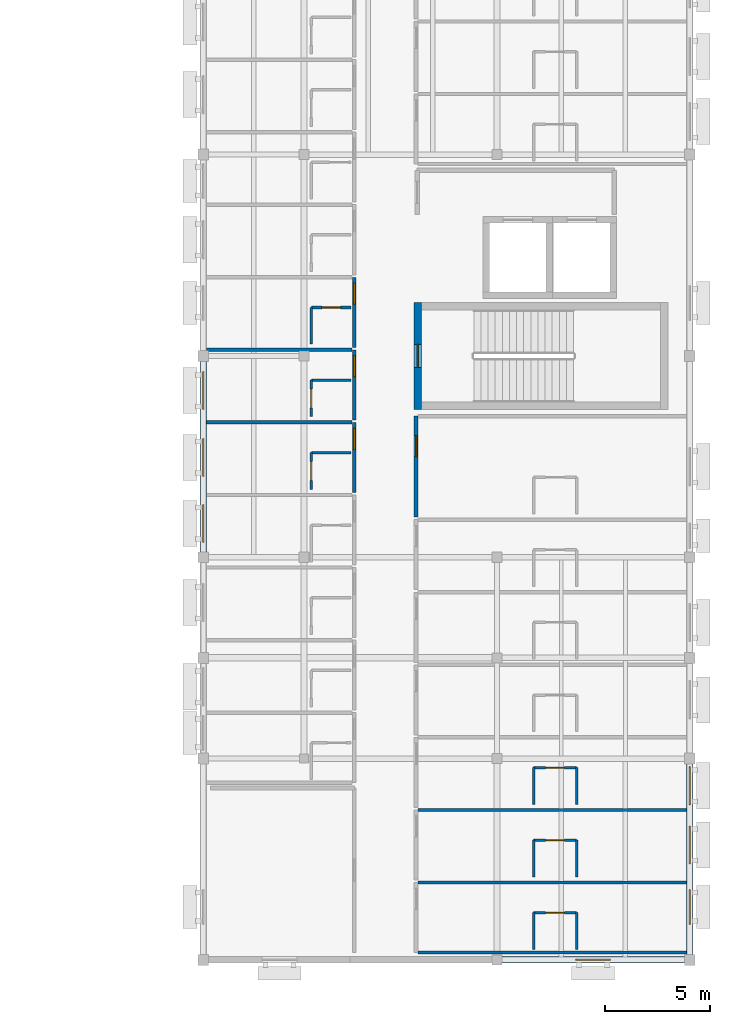
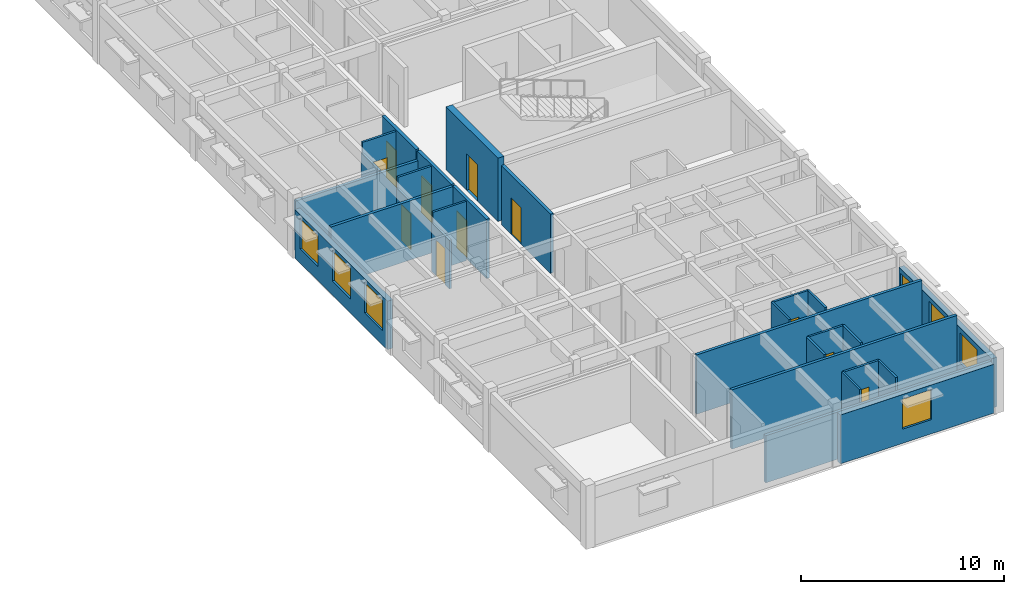
# One storey, part 8 of 20: 28 walls, 11 doors, 7 windows, 18 openings.
"""IFC4 building model written with IfcOpenShell, lengths in metres."""

from ifc_helpers import new_model, si_unit, direction, frame, frame_2d, origin, place, context, subcontext, project, spatial, rectangle, extrude, material, layer, layer_set, type_object, element, fill, save


model = new_model("IFC4")

# Units and contexts
model_context = context("Model", 3, precision=1e-05, world=origin(), true_north=direction((0.0, 1.0)))
body_context = subcontext(model_context, "Body", "Model", "MODEL_VIEW")
ifc_project = project(units=[si_unit("LENGTHUNIT", "METRE"), si_unit("AREAUNIT", "SQUARE_METRE"), si_unit("VOLUMEUNIT", "CUBIC_METRE"), si_unit("PLANEANGLEUNIT", "RADIAN"), si_unit("MASSUNIT", "GRAM", prefix="KILO")], contexts=[model_context])

# Site, building, storey
site_placement = place(None, origin())
site = spatial("IfcSite", under=ifc_project, at=site_placement, CompositionType="ELEMENT")
building_placement = place(site_placement, origin())
building = spatial("IfcBuilding", under=site, at=building_placement, Name="Veldera Park Congress Hotel", CompositionType="ELEMENT")
storey_placement = place(building_placement, frame((0.0, 0.0, 27.60009765625)))
storey = spatial("IfcBuildingStorey", under=building, at=storey_placement, Name="L06", CompositionType="ELEMENT", Elevation=27.60009765625)

# Wall, opening, window
ifc_material_1 = material(Name="Cross-laminated timber CLT V2M1.1", Category="wood")
ifc_layer_1 = layer(ifc_material_1, 0.300048828125)
ifc_layer_set_1 = layer_set([ifc_layer_1], Name="Cross-laminated timber CLT V2M1.1")
wall_type_1 = type_object("IfcWallType", Name="EW-CLT300", PredefinedType="STANDARD", material=ifc_layer_set_1)
wall_1_placement = place(storey_placement, frame((75.0380859375, -37.800048828125, 0.0), z_axis=(0.0, 0.0, 1.0), x_axis=(1.0, 0.0, 0.0)))
wall_1 = element("IfcWall", 1, at=wall_1_placement, inside=storey, type_object=wall_type_1, Name="L06 Exterior Wall EW3-L06-0310", PredefinedType="STANDARD", context=body_context, shape_type="SweptSolid", body=[
    extrude(rectangle(XDim=8.703857421875, YDim=0.300048828125, at=frame_2d((4.35205078125, 0.0))), origin(), (0.0, 0.0, 1.0), 2.929931640625),
])
opening_1_placement = place(wall_1_placement, frame((3.527099609375, 0.0, 0.85009765625)))
opening_1 = element("IfcOpeningElement", 2, at=opening_1_placement, cuts=wall_1, Name="Opening WIN-1650", PredefinedType="OPENING", context=body_context, shape_type="SweptSolid", body=[
    extrude(rectangle(XDim=1.64990234375, YDim=1.800048828125, at=frame_2d((0.824951171875, 0.89990234375))), frame((0.0, 0.162109375, 0.0), z_axis=(0.0, -1.0, 0.0), x_axis=(1.0, 0.0, 0.0)), (0.0, 0.0, 1.0), 0.323974609375),
])
ifc_material_2 = material(Name="Low-E Triple Insulating Glass Unit (SHGC 0.22)", Category="glass")
window_type_1 = type_object("IfcWindowType", Name="WIN-1650", PartitioningType="SINGLE_PANEL", PredefinedType="WINDOW", material=ifc_material_2)
window_1_placement = place(opening_1_placement, origin())
window_1 = element("IfcWindow", 3, at=window_1_placement, inside=storey, type_object=window_type_1, Name="L06 Window WIN-1650 237", OverallHeight=1.800048828125, OverallWidth=1.64990234375, PartitioningType="SINGLE_PANEL", PredefinedType="WINDOW", context=body_context, shape_type="SweptSolid", body=[
    extrude(rectangle(XDim=1.64990234375, YDim=1.800048828125, at=frame_2d((0.824951171875, 0.89990234375))), frame((0.0, 0.030029296875, 0.0), z_axis=(0.0, -1.0, 0.0), x_axis=(1.0, 0.0, 0.0)), (0.0, 0.0, 1.0), 0.06005859375),
])
fill(opening_1, window_1)

# Wall, openings, windows
wall_2_placement = place(storey_placement, frame((84.0, -37.5419921875, 0.0), z_axis=(0.0, 0.0, 1.0), x_axis=(0.0, 1.0, 0.0)))
wall_2 = element("IfcWall", 4, at=wall_2_placement, inside=storey, type_object=wall_type_1, Name="L06 Exterior Wall EW3-L06-0311", PredefinedType="STANDARD", context=body_context, shape_type="SweptSolid", body=[
    extrude(rectangle(XDim=9.083984375, YDim=0.300048828125, at=frame_2d((4.5419921875, 0.0))), origin(), (0.0, 0.0, 1.0), 2.969970703125),
])
opening_2_placement = place(wall_2_placement, frame((1.446044921875, 0.0, 0.85009765625)))
opening_2 = element("IfcOpeningElement", 5, at=opening_2_placement, cuts=wall_2, Name="Opening WIN-1650", PredefinedType="OPENING", context=body_context, shape_type="SweptSolid", body=[
    extrude(rectangle(XDim=1.64990234375, YDim=1.800048828125, at=frame_2d((0.824951171875, 0.89990234375))), frame((0.0, 0.162109375, 0.0), z_axis=(0.0, -1.0, 0.0), x_axis=(1.0, 0.0, 0.0)), (0.0, 0.0, 1.0), 0.323974609375),
])
opening_3_placement = place(wall_2_placement, frame((4.322021484375, 0.0, 0.85009765625)))
opening_3 = element("IfcOpeningElement", 6, at=opening_3_placement, cuts=wall_2, Name="Opening WIN-1800", PredefinedType="OPENING", context=body_context, shape_type="SweptSolid", body=[
    extrude(rectangle(XDim=1.800048828125, YDim=1.85009765625, at=frame_2d((0.89990234375, 0.925048828125))), frame((0.0, 0.162109375, 0.0), z_axis=(0.0, -1.0, 0.0), x_axis=(1.0, 0.0, 0.0)), (0.0, 0.0, 1.0), 0.323974609375),
])
opening_4_placement = place(wall_2_placement, frame((7.14794921875, 0.0, 0.85009765625)))
opening_4 = element("IfcOpeningElement", 7, at=opening_4_placement, cuts=wall_2, Name="Opening WIN-1800", PredefinedType="OPENING", context=body_context, shape_type="SweptSolid", body=[
    extrude(rectangle(XDim=1.800048828125, YDim=1.85009765625, at=frame_2d((0.89990234375, 0.925048828125))), frame((0.0, 0.162109375, 0.0), z_axis=(0.0, -1.0, 0.0), x_axis=(1.0, 0.0, 0.0)), (0.0, 0.0, 1.0), 0.323974609375),
])
window_2_placement = place(opening_2_placement, origin())
window_2 = element("IfcWindow", 8, at=window_2_placement, inside=storey, type_object=window_type_1, Name="L06 Window WIN-1650 238", OverallHeight=1.800048828125, OverallWidth=1.64990234375, PartitioningType="SINGLE_PANEL", PredefinedType="WINDOW", context=body_context, shape_type="SweptSolid", body=[
    extrude(rectangle(XDim=1.64990234375, YDim=1.800048828125, at=frame_2d((0.824951171875, 0.89990234375))), frame((0.0, 0.030029296875, 0.0), z_axis=(0.0, -1.0, 0.0), x_axis=(1.0, 0.0, 0.0)), (0.0, 0.0, 1.0), 0.06005859375),
])
fill(opening_2, window_2)
window_type_2 = type_object("IfcWindowType", Name="WIN-1800", PartitioningType="SINGLE_PANEL", PredefinedType="WINDOW", material=ifc_material_2)
window_3_placement = place(opening_3_placement, origin())
window_3 = element("IfcWindow", 9, at=window_3_placement, inside=storey, type_object=window_type_2, Name="L06 Window WIN-1800 525", OverallHeight=1.85009765625, OverallWidth=1.800048828125, PartitioningType="SINGLE_PANEL", PredefinedType="WINDOW", context=body_context, shape_type="SweptSolid", body=[
    extrude(rectangle(XDim=1.800048828125, YDim=1.85009765625, at=frame_2d((0.89990234375, 0.925048828125))), frame((0.0, 0.030029296875, 0.0), z_axis=(0.0, -1.0, 0.0), x_axis=(1.0, 0.0, 0.0)), (0.0, 0.0, 1.0), 0.06005859375),
])
fill(opening_3, window_3)
window_4_placement = place(opening_4_placement, origin())
window_4 = element("IfcWindow", 10, at=window_4_placement, inside=storey, type_object=window_type_2, Name="L06 Window WIN-1800 526", OverallHeight=1.85009765625, OverallWidth=1.800048828125, PartitioningType="SINGLE_PANEL", PredefinedType="WINDOW", context=body_context, shape_type="SweptSolid", body=[
    extrude(rectangle(XDim=1.800048828125, YDim=1.85009765625, at=frame_2d((0.89990234375, 0.925048828125))), frame((0.0, 0.030029296875, 0.0), z_axis=(0.0, -1.0, 0.0), x_axis=(1.0, 0.0, 0.0)), (0.0, 0.0, 1.0), 0.06005859375),
])
fill(opening_4, window_4)

wall_3_placement = place(storey_placement, frame((60.800048828125, -9.258056640625, 0.0), z_axis=(0.0, 0.0, 1.0), x_axis=(0.0, -1.0, 0.0)))
wall_3 = element("IfcWall", 11, at=wall_3_placement, inside=storey, type_object=wall_type_1, Name="L06 Exterior Wall EW3-L06-0336", PredefinedType="STANDARD", context=body_context, shape_type="SweptSolid", body=[
    extrude(rectangle(XDim=9.083984375, YDim=0.300048828125, at=frame_2d((4.5419921875, 0.0))), origin(), (0.0, 0.0, 1.0), 2.909912109375),
])
opening_5_placement = place(wall_3_placement, frame((6.827880859375, 0.0, 0.85009765625)))
opening_5 = element("IfcOpeningElement", 12, at=opening_5_placement, cuts=wall_3, Name="Opening WIN-1800", PredefinedType="OPENING", context=body_context, shape_type="SweptSolid", body=[
    extrude(rectangle(XDim=1.800048828125, YDim=1.85009765625, at=frame_2d((0.89990234375, 0.925048828125))), frame((0.0, 0.162109375, 0.0), z_axis=(0.0, -1.0, 0.0), x_axis=(1.0, 0.0, 0.0)), (0.0, 0.0, 1.0), 0.323974609375),
])
opening_6_placement = place(wall_3_placement, frame((3.681884765625, 0.0, 0.85009765625)))
opening_6 = element("IfcOpeningElement", 13, at=opening_6_placement, cuts=wall_3, Name="Opening WIN-1800", PredefinedType="OPENING", context=body_context, shape_type="SweptSolid", body=[
    extrude(rectangle(XDim=1.800048828125, YDim=1.85009765625, at=frame_2d((0.89990234375, 0.925048828125))), frame((0.0, 0.162109375, 0.0), z_axis=(0.0, -1.0, 0.0), x_axis=(1.0, 0.0, 0.0)), (0.0, 0.0, 1.0), 0.323974609375),
])
opening_7_placement = place(wall_3_placement, frame((0.49609375, 0.0, 0.85009765625)))
opening_7 = element("IfcOpeningElement", 14, at=opening_7_placement, cuts=wall_3, Name="Opening WIN-1800", PredefinedType="OPENING", context=body_context, shape_type="SweptSolid", body=[
    extrude(rectangle(XDim=1.800048828125, YDim=1.85009765625, at=frame_2d((0.89990234375, 0.925048828125))), frame((0.0, 0.162109375, 0.0), z_axis=(0.0, -1.0, 0.0), x_axis=(1.0, 0.0, 0.0)), (0.0, 0.0, 1.0), 0.323974609375),
])
window_5_placement = place(opening_5_placement, origin())
window_5 = element("IfcWindow", 15, at=window_5_placement, inside=storey, type_object=window_type_2, Name="L06 Window WIN-1800 512", OverallHeight=1.85009765625, OverallWidth=1.800048828125, PartitioningType="SINGLE_PANEL", PredefinedType="WINDOW", context=body_context, shape_type="SweptSolid", body=[
    extrude(rectangle(XDim=1.800048828125, YDim=1.85009765625, at=frame_2d((0.89990234375, 0.925048828125))), frame((0.0, 0.030029296875, 0.0), z_axis=(0.0, -1.0, 0.0), x_axis=(1.0, 0.0, 0.0)), (0.0, 0.0, 1.0), 0.06005859375),
])
fill(opening_5, window_5)
window_6_placement = place(opening_6_placement, origin())
window_6 = element("IfcWindow", 16, at=window_6_placement, inside=storey, type_object=window_type_2, Name="L06 Window WIN-1800 513", OverallHeight=1.85009765625, OverallWidth=1.800048828125, PartitioningType="SINGLE_PANEL", PredefinedType="WINDOW", context=body_context, shape_type="SweptSolid", body=[
    extrude(rectangle(XDim=1.800048828125, YDim=1.85009765625, at=frame_2d((0.89990234375, 0.925048828125))), frame((0.0, 0.030029296875, 0.0), z_axis=(0.0, -1.0, 0.0), x_axis=(1.0, 0.0, 0.0)), (0.0, 0.0, 1.0), 0.06005859375),
])
fill(opening_6, window_6)
window_7_placement = place(opening_7_placement, origin())
window_7 = element("IfcWindow", 17, at=window_7_placement, inside=storey, type_object=window_type_2, Name="L06 Window WIN-1800 514", OverallHeight=1.85009765625, OverallWidth=1.800048828125, PartitioningType="SINGLE_PANEL", PredefinedType="WINDOW", context=body_context, shape_type="SweptSolid", body=[
    extrude(rectangle(XDim=1.800048828125, YDim=1.85009765625, at=frame_2d((0.89990234375, 0.925048828125))), frame((0.0, 0.030029296875, 0.0), z_axis=(0.0, -1.0, 0.0), x_axis=(1.0, 0.0, 0.0)), (0.0, 0.0, 1.0), 0.06005859375),
])
fill(opening_7, window_7)

# Wall, opening, door
ifc_material_3 = material(Name="Fire-Rated Gypsum Board on Cold-Formed Steel Studs", Category="steel")
ifc_layer_2 = layer(ifc_material_3, 0.1201171875)
ifc_layer_set_2 = layer_set([ifc_layer_2], Name="Fire-Rated Gypsum Board on Cold-Formed Steel Studs")
wall_type_2 = type_object("IfcWallType", Name="IW-BATH120", PredefinedType="PARTITIONING", material=ifc_layer_set_2)
wall_4_placement = place(storey_placement, frame((65.949951171875, -15.360107421875, 0.0), z_axis=(0.0, 0.0, 1.0), x_axis=(0.0, 1.0, 0.0)))
wall_4 = element("IfcWall", 18, at=wall_4_placement, inside=storey, type_object=wall_type_2, Name="L06 Partition Wall IW3-L06-01210", PredefinedType="PARTITIONING", context=body_context, shape_type="SweptSolid", body=[
    extrude(rectangle(XDim=1.75, YDim=0.1201171875, at=frame_2d((0.875, 0.0))), origin(), (0.0, 0.0, 1.0), 2.909912109375),
])
opening_8_placement = place(wall_4_placement, frame((0.425048828125, 0.0, 0.0)))
opening_8 = element("IfcOpeningElement", 19, at=opening_8_placement, cuts=wall_4, Name="Opening ID-BATH090", PredefinedType="OPENING", context=body_context, shape_type="SweptSolid", body=[
    extrude(rectangle(XDim=0.89990234375, YDim=2.14990234375, at=frame_2d((0.449951171875, 1.074951171875))), frame((0.0, 0.072021484375, 0.0), z_axis=(0.0, -1.0, 0.0), x_axis=(1.0, 0.0, 0.0)), (0.0, 0.0, 1.0), 0.14404296875),
])
ifc_material_4 = material(Name="Solid Core White Oak Architectural Door", Category="wood")
door_type_1 = type_object("IfcDoorType", Name="ID-BATH090", OperationType="NOTDEFINED", PredefinedType="DOOR", material=ifc_material_4)
door_1_placement = place(opening_8_placement, origin())
door_1 = element("IfcDoor", 20, at=door_1_placement, inside=storey, type_object=door_type_1, Name="L06 En-suite 182 Door ID3-L06-0503 (DR3-ID3-L06-0503)", OperationType="SINGLE_SWING_LEFT", OverallHeight=2.14990234375, OverallWidth=0.89990234375, PredefinedType="DOOR", context=body_context, shape_type="SweptSolid", body=[
    extrude(rectangle(XDim=0.89990234375, YDim=2.14990234375, at=frame_2d((0.449951171875, 1.074951171875))), frame((0.0, 0.02490234375, 0.0), z_axis=(0.0, -1.0, 0.0), x_axis=(1.0, 0.0, 0.0)), (0.0, 0.0, 1.0), 0.050048828125),
])
fill(opening_8, door_1)

# Wall
wall_5_placement = place(storey_placement, frame((65.949951171875, -13.610107421875, 0.0), z_axis=(0.0, 0.0, 1.0), x_axis=(1.0, 0.0, 0.0)))
element("IfcWall", 21, at=wall_5_placement, inside=storey, type_object=wall_type_2, Name="L06 Partition Wall IW3-L06-01211", PredefinedType="PARTITIONING", context=body_context, shape_type="SweptSolid", body=[
    extrude(rectangle(XDim=1.900146484375, YDim=0.1201171875, at=frame_2d((0.9501953125, 0.0))), origin(), (0.0, 0.0, 1.0), 3.554931640625),
])

# Wall, opening, door
wall_6_placement = place(storey_placement, frame((65.949951171875, -11.89990234375, 0.0), z_axis=(0.0, 0.0, 1.0), x_axis=(0.0, 1.0, 0.0)))
wall_6 = element("IfcWall", 22, at=wall_6_placement, inside=storey, type_object=wall_type_2, Name="L06 Partition Wall IW3-L06-01214", PredefinedType="PARTITIONING", context=body_context, shape_type="SweptSolid", body=[
    extrude(rectangle(XDim=1.75, YDim=0.1201171875, at=frame_2d((0.875, 0.0))), origin(), (0.0, 0.0, 1.0), 2.909912109375),
])
opening_9_placement = place(wall_6_placement, frame((0.425048828125, 0.0, 0.0)))
opening_9 = element("IfcOpeningElement", 23, at=opening_9_placement, cuts=wall_6, Name="Opening ID-BATH090", PredefinedType="OPENING", context=body_context, shape_type="SweptSolid", body=[
    extrude(rectangle(XDim=0.89990234375, YDim=2.14990234375, at=frame_2d((0.449951171875, 1.074951171875))), frame((0.0, 0.072021484375, 0.0), z_axis=(0.0, -1.0, 0.0), x_axis=(1.0, 0.0, 0.0)), (0.0, 0.0, 1.0), 0.14404296875),
])
door_2_placement = place(opening_9_placement, origin())
door_2 = element("IfcDoor", 24, at=door_2_placement, inside=storey, type_object=door_type_1, Name="L06 En-suite 183 Door ID3-L06-0505 (DR3-ID3-L06-0505)", OperationType="SINGLE_SWING_LEFT", OverallHeight=2.14990234375, OverallWidth=0.89990234375, PredefinedType="DOOR", context=body_context, shape_type="SweptSolid", body=[
    extrude(rectangle(XDim=0.89990234375, YDim=2.14990234375, at=frame_2d((0.449951171875, 1.074951171875))), frame((0.0, 0.02490234375, 0.0), z_axis=(0.0, -1.0, 0.0), x_axis=(1.0, 0.0, 0.0)), (0.0, 0.0, 1.0), 0.050048828125),
])
fill(opening_9, door_2)

# Walls
wall_7_placement = place(storey_placement, frame((65.949951171875, -10.14990234375, 0.0), z_axis=(0.0, 0.0, 1.0), x_axis=(1.0, 0.0, 0.0)))
element("IfcWall", 25, at=wall_7_placement, inside=storey, type_object=wall_type_2, Name="L06 Partition Wall IW3-L06-01215", PredefinedType="PARTITIONING", context=body_context, shape_type="SweptSolid", body=[
    extrude(rectangle(XDim=1.900146484375, YDim=0.1201171875, at=frame_2d((0.9501953125, 0.0))), origin(), (0.0, 0.0, 1.0), 3.554931640625),
])
wall_8_placement = place(storey_placement, frame((65.949951171875, -8.43994140625, 0.0), z_axis=(0.0, 0.0, 1.0), x_axis=(0.0, 1.0, 0.0)))
element("IfcWall", 26, at=wall_8_placement, inside=storey, type_object=wall_type_2, Name="L06 Partition Wall IW3-L06-01218", PredefinedType="PARTITIONING", context=body_context, shape_type="SweptSolid", body=[
    extrude(rectangle(XDim=1.75, YDim=0.1201171875, at=frame_2d((0.875, 0.0))), origin(), (0.0, 0.0, 1.0), 2.909912109375),
])

# Wall, opening, door
wall_9_placement = place(storey_placement, frame((65.949951171875, -6.68994140625, 0.0), z_axis=(0.0, 0.0, 1.0), x_axis=(1.0, 0.0, 0.0)))
wall_9 = element("IfcWall", 27, at=wall_9_placement, inside=storey, type_object=wall_type_2, Name="L06 Partition Wall IW3-L06-01219", PredefinedType="PARTITIONING", context=body_context, shape_type="SweptSolid", body=[
    extrude(rectangle(XDim=1.900146484375, YDim=0.1201171875, at=frame_2d((0.9501953125, 0.0))), origin(), (0.0, 0.0, 1.0), 3.554931640625),
])
opening_10_placement = place(wall_9_placement, frame((0.5, 0.0, 0.0)))
opening_10 = element("IfcOpeningElement", 28, at=opening_10_placement, cuts=wall_9, Name="Opening ID-BATH090", PredefinedType="OPENING", context=body_context, shape_type="SweptSolid", body=[
    extrude(rectangle(XDim=0.89990234375, YDim=2.14990234375, at=frame_2d((0.449951171875, 1.074951171875))), frame((0.0, 0.072021484375, 0.0), z_axis=(0.0, -1.0, 0.0), x_axis=(1.0, 0.0, 0.0)), (0.0, 0.0, 1.0), 0.14404296875),
])
door_3_placement = place(opening_10_placement, origin())
door_3 = element("IfcDoor", 29, at=door_3_placement, inside=storey, type_object=door_type_1, Name="L06 En-suite 184 Door ID3-L06-0507 (DR3-ID3-L06-0507)", OperationType="SINGLE_SWING_LEFT", OverallHeight=2.14990234375, OverallWidth=0.89990234375, PredefinedType="DOOR", context=body_context, shape_type="SweptSolid", body=[
    extrude(rectangle(XDim=0.89990234375, YDim=2.14990234375, at=frame_2d((0.449951171875, 1.074951171875))), frame((0.0, 0.02490234375, 0.0), z_axis=(0.0, -1.0, 0.0), x_axis=(1.0, 0.0, 0.0)), (0.0, 0.0, 1.0), 0.050048828125),
])
fill(opening_10, door_3)

# Walls
for number, where, z_axis, x_axis, name in (
    (30, (76.550048828125, -37.300048828125, 0.0), (0.0, 0.0, 1.0), (0.0, 1.0, 0.0), "L06 Partition Wall IW3-L06-01263"),
    (31, (78.60009765625, -37.300048828125, 0.0), (0.0, 0.0, 1.0), (0.0, 1.0, 0.0), "L06 Partition Wall IW3-L06-01264"),
):
    element("IfcWall", number, at=place(storey_placement, frame(where, z_axis=z_axis, x_axis=x_axis)), inside=storey, type_object=wall_type_2, Name=name, PredefinedType="PARTITIONING", context=body_context, shape_type="SweptSolid", body=[
        extrude(rectangle(XDim=1.75, YDim=0.1201171875, at=frame_2d((0.875, 0.0))), origin(), (0.0, 0.0, 1.0), 3.554931640625),
    ])

# Wall, opening, door
wall_10_placement = place(storey_placement, frame((76.550048828125, -35.550048828125, 0.0), z_axis=(0.0, 0.0, 1.0), x_axis=(1.0, 0.0, 0.0)))
wall_10 = element("IfcWall", 32, at=wall_10_placement, inside=storey, type_object=wall_type_2, Name="L06 Partition Wall IW3-L06-01265", PredefinedType="PARTITIONING", context=body_context, shape_type="SweptSolid", body=[
    extrude(rectangle(XDim=2.050048828125, YDim=0.1201171875, at=frame_2d((1.02490234375, 0.0))), origin(), (0.0, 0.0, 1.0), 3.554931640625),
])
opening_11_placement = place(wall_10_placement, frame((0.574951171875, 0.0, 0.0)))
opening_11 = element("IfcOpeningElement", 33, at=opening_11_placement, cuts=wall_10, Name="Opening ID-BATH090", PredefinedType="OPENING", context=body_context, shape_type="SweptSolid", body=[
    extrude(rectangle(XDim=0.89990234375, YDim=2.14990234375, at=frame_2d((0.449951171875, 1.074951171875))), frame((0.0, 0.072021484375, 0.0), z_axis=(0.0, -1.0, 0.0), x_axis=(1.0, 0.0, 0.0)), (0.0, 0.0, 1.0), 0.14404296875),
])
door_4_placement = place(opening_11_placement, origin())
door_4 = element("IfcDoor", 34, at=door_4_placement, inside=storey, type_object=door_type_1, Name="L06 En-suite 195 Door ID3-L06-0529 (DR3-ID3-L06-0529)", OperationType="SINGLE_SWING_LEFT", OverallHeight=2.14990234375, OverallWidth=0.89990234375, PredefinedType="DOOR", context=body_context, shape_type="SweptSolid", body=[
    extrude(rectangle(XDim=0.89990234375, YDim=2.14990234375, at=frame_2d((0.449951171875, 1.074951171875))), frame((0.0, 0.02490234375, 0.0), z_axis=(0.0, -1.0, 0.0), x_axis=(1.0, 0.0, 0.0)), (0.0, 0.0, 1.0), 0.050048828125),
])
fill(opening_11, door_4)

# Walls
for number, where, z_axis, x_axis, name in (
    (35, (76.550048828125, -33.840087890625, 0.0), (0.0, 0.0, 1.0), (0.0, 1.0, 0.0), "L06 Partition Wall IW3-L06-01268"),
    (36, (78.60009765625, -33.840087890625, 0.0), (0.0, 0.0, 1.0), (0.0, 1.0, 0.0), "L06 Partition Wall IW3-L06-01269"),
):
    element("IfcWall", number, at=place(storey_placement, frame(where, z_axis=z_axis, x_axis=x_axis)), inside=storey, type_object=wall_type_2, Name=name, PredefinedType="PARTITIONING", context=body_context, shape_type="SweptSolid", body=[
        extrude(rectangle(XDim=1.75, YDim=0.1201171875, at=frame_2d((0.875, 0.0))), origin(), (0.0, 0.0, 1.0), 3.554931640625),
    ])

# Wall, opening, door
wall_11_placement = place(storey_placement, frame((76.550048828125, -32.090087890625, 0.0), z_axis=(0.0, 0.0, 1.0), x_axis=(1.0, 0.0, 0.0)))
wall_11 = element("IfcWall", 37, at=wall_11_placement, inside=storey, type_object=wall_type_2, Name="L06 Partition Wall IW3-L06-01270", PredefinedType="PARTITIONING", context=body_context, shape_type="SweptSolid", body=[
    extrude(rectangle(XDim=2.050048828125, YDim=0.1201171875, at=frame_2d((1.02490234375, 0.0))), origin(), (0.0, 0.0, 1.0), 3.554931640625),
])
opening_12_placement = place(wall_11_placement, frame((0.574951171875, 0.0, 0.0)))
opening_12 = element("IfcOpeningElement", 38, at=opening_12_placement, cuts=wall_11, Name="Opening ID-BATH090", PredefinedType="OPENING", context=body_context, shape_type="SweptSolid", body=[
    extrude(rectangle(XDim=0.89990234375, YDim=2.14990234375, at=frame_2d((0.449951171875, 1.074951171875))), frame((0.0, 0.072021484375, 0.0), z_axis=(0.0, -1.0, 0.0), x_axis=(1.0, 0.0, 0.0)), (0.0, 0.0, 1.0), 0.14404296875),
])
door_5_placement = place(opening_12_placement, origin())
door_5 = element("IfcDoor", 39, at=door_5_placement, inside=storey, type_object=door_type_1, Name="L06 En-suite 196 Door ID3-L06-0531 (DR3-ID3-L06-0531)", OperationType="SINGLE_SWING_LEFT", OverallHeight=2.14990234375, OverallWidth=0.89990234375, PredefinedType="DOOR", context=body_context, shape_type="SweptSolid", body=[
    extrude(rectangle(XDim=0.89990234375, YDim=2.14990234375, at=frame_2d((0.449951171875, 1.074951171875))), frame((0.0, 0.02490234375, 0.0), z_axis=(0.0, -1.0, 0.0), x_axis=(1.0, 0.0, 0.0)), (0.0, 0.0, 1.0), 0.050048828125),
])
fill(opening_12, door_5)

# Walls
for number, where, z_axis, x_axis, name in (
    (40, (76.550048828125, -30.3798828125, 0.0), (0.0, 0.0, 1.0), (0.0, 1.0, 0.0), "L06 Partition Wall IW3-L06-01273"),
    (41, (78.60009765625, -30.3798828125, 0.0), (0.0, 0.0, 1.0), (0.0, 1.0, 0.0), "L06 Partition Wall IW3-L06-01274"),
):
    element("IfcWall", number, at=place(storey_placement, frame(where, z_axis=z_axis, x_axis=x_axis)), inside=storey, type_object=wall_type_2, Name=name, PredefinedType="PARTITIONING", context=body_context, shape_type="SweptSolid", body=[
        extrude(rectangle(XDim=1.75, YDim=0.1201171875, at=frame_2d((0.875, 0.0))), origin(), (0.0, 0.0, 1.0), 3.554931640625),
    ])

# Wall, opening, door
wall_12_placement = place(storey_placement, frame((76.550048828125, -28.6298828125, 0.0), z_axis=(0.0, 0.0, 1.0), x_axis=(1.0, 0.0, 0.0)))
wall_12 = element("IfcWall", 42, at=wall_12_placement, inside=storey, type_object=wall_type_2, Name="L06 Partition Wall IW3-L06-01275", PredefinedType="PARTITIONING", context=body_context, shape_type="SweptSolid", body=[
    extrude(rectangle(XDim=2.050048828125, YDim=0.1201171875, at=frame_2d((1.02490234375, 0.0))), origin(), (0.0, 0.0, 1.0), 3.554931640625),
])
opening_13_placement = place(wall_12_placement, frame((0.574951171875, 0.0, 0.0)))
opening_13 = element("IfcOpeningElement", 43, at=opening_13_placement, cuts=wall_12, Name="Opening ID-BATH090", PredefinedType="OPENING", context=body_context, shape_type="SweptSolid", body=[
    extrude(rectangle(XDim=0.89990234375, YDim=2.14990234375, at=frame_2d((0.449951171875, 1.074951171875))), frame((0.0, 0.072021484375, 0.0), z_axis=(0.0, -1.0, 0.0), x_axis=(1.0, 0.0, 0.0)), (0.0, 0.0, 1.0), 0.14404296875),
])
door_6_placement = place(opening_13_placement, origin())
door_6 = element("IfcDoor", 44, at=door_6_placement, inside=storey, type_object=door_type_1, Name="L06 En-suite 197 Door ID3-L06-0533 (DR3-ID3-L06-0533)", OperationType="SINGLE_SWING_LEFT", OverallHeight=2.14990234375, OverallWidth=0.89990234375, PredefinedType="DOOR", context=body_context, shape_type="SweptSolid", body=[
    extrude(rectangle(XDim=0.89990234375, YDim=2.14990234375, at=frame_2d((0.449951171875, 1.074951171875))), frame((0.0, 0.02490234375, 0.0), z_axis=(0.0, -1.0, 0.0), x_axis=(1.0, 0.0, 0.0)), (0.0, 0.0, 1.0), 0.050048828125),
])
fill(opening_13, door_6)

ifc_layer_3 = layer(ifc_material_3, 0.179931640625)
ifc_layer_set_3 = layer_set([ifc_layer_3], Name="Fire-Rated Gypsum Board on Cold-Formed Steel Studs")
wall_type_3 = type_object("IfcWallType", Name="IW-CORR180", PredefinedType="PARTITIONING", material=ifc_layer_set_3)
wall_13_placement = place(storey_placement, frame((68.0, -15.510009765625, 0.0), z_axis=(0.0, 0.0, 1.0), x_axis=(0.0, 1.0, 0.0)))
wall_13 = element("IfcWall", 45, at=wall_13_placement, inside=storey, type_object=wall_type_3, Name="L06 Corridor Wall IW3-L06-01208", PredefinedType="PARTITIONING", context=body_context, shape_type="SweptSolid", body=[
    extrude(rectangle(XDim=3.340087890625, YDim=0.179931640625, at=frame_2d((1.669921875, 0.0))), origin(), (0.0, 0.0, 1.0), 3.554931640625),
])
opening_14_placement = place(wall_13_placement, frame((2.06005859375, 0.0, 0.0)))
opening_14 = element("IfcOpeningElement", 46, at=opening_14_placement, cuts=wall_13, Name="Opening ID-UNIT100", PredefinedType="OPENING", context=body_context, shape_type="SweptSolid", body=[
    extrude(rectangle(XDim=1.0, YDim=2.199951171875, at=frame_2d((0.5, 1.10009765625))), frame((0.0, 0.10205078125, 0.0), z_axis=(0.0, -1.0, 0.0), x_axis=(1.0, 0.0, 0.0)), (0.0, 0.0, 1.0), 0.203857421875),
])
door_type_2 = type_object("IfcDoorType", Name="ID-UNIT100", OperationType="NOTDEFINED", PredefinedType="DOOR", material=ifc_material_4)
door_7_placement = place(opening_14_placement, origin())
door_7 = element("IfcDoor", 47, at=door_7_placement, inside=storey, type_object=door_type_2, Name="L06 Guestroom 182 Entry Door (DR3-UD3-L06-182)", OperationType="SINGLE_SWING_RIGHT", OverallHeight=2.199951171875, OverallWidth=1.0, PredefinedType="DOOR", context=body_context, shape_type="SweptSolid", body=[
    extrude(rectangle(XDim=1.0, YDim=2.199951171875, at=frame_2d((0.5, 1.10009765625))), frame((0.0, 0.02490234375, 0.0), z_axis=(0.0, -1.0, 0.0), x_axis=(1.0, 0.0, 0.0)), (0.0, 0.0, 1.0), 0.050048828125),
])
fill(opening_14, door_7)

wall_14_placement = place(storey_placement, frame((68.0, -12.050048828125, 0.0), z_axis=(0.0, 0.0, 1.0), x_axis=(0.0, 1.0, 0.0)))
wall_14 = element("IfcWall", 48, at=wall_14_placement, inside=storey, type_object=wall_type_3, Name="L06 Corridor Wall IW3-L06-01212", PredefinedType="PARTITIONING", context=body_context, shape_type="SweptSolid", body=[
    extrude(rectangle(XDim=3.340087890625, YDim=0.179931640625, at=frame_2d((1.669921875, 0.0))), origin(), (0.0, 0.0, 1.0), 3.554931640625),
])
opening_15_placement = place(wall_14_placement, frame((2.06005859375, 0.0, 0.0)))
opening_15 = element("IfcOpeningElement", 49, at=opening_15_placement, cuts=wall_14, Name="Opening ID-UNIT100", PredefinedType="OPENING", context=body_context, shape_type="SweptSolid", body=[
    extrude(rectangle(XDim=1.0, YDim=2.199951171875, at=frame_2d((0.5, 1.10009765625))), frame((0.0, 0.10205078125, 0.0), z_axis=(0.0, -1.0, 0.0), x_axis=(1.0, 0.0, 0.0)), (0.0, 0.0, 1.0), 0.203857421875),
])
door_8_placement = place(opening_15_placement, origin())
door_8 = element("IfcDoor", 50, at=door_8_placement, inside=storey, type_object=door_type_2, Name="L06 Guestroom 183 Entry Door (DR3-UD3-L06-183)", OperationType="SINGLE_SWING_RIGHT", OverallHeight=2.199951171875, OverallWidth=1.0, PredefinedType="DOOR", context=body_context, shape_type="SweptSolid", body=[
    extrude(rectangle(XDim=1.0, YDim=2.199951171875, at=frame_2d((0.5, 1.10009765625))), frame((0.0, 0.02490234375, 0.0), z_axis=(0.0, -1.0, 0.0), x_axis=(1.0, 0.0, 0.0)), (0.0, 0.0, 1.0), 0.050048828125),
])
fill(opening_15, door_8)

wall_15_placement = place(storey_placement, frame((68.0, -8.590087890625, 0.0), z_axis=(0.0, 0.0, 1.0), x_axis=(0.0, 1.0, 0.0)))
wall_15 = element("IfcWall", 51, at=wall_15_placement, inside=storey, type_object=wall_type_3, Name="L06 Corridor Wall IW3-L06-01216", PredefinedType="PARTITIONING", context=body_context, shape_type="SweptSolid", body=[
    extrude(rectangle(XDim=3.340087890625, YDim=0.179931640625, at=frame_2d((1.669921875, 0.0))), origin(), (0.0, 0.0, 1.0), 3.554931640625),
])
opening_16_placement = place(wall_15_placement, frame((2.06005859375, 0.0, 0.0)))
opening_16 = element("IfcOpeningElement", 52, at=opening_16_placement, cuts=wall_15, Name="Opening ID-UNIT100", PredefinedType="OPENING", context=body_context, shape_type="SweptSolid", body=[
    extrude(rectangle(XDim=1.0, YDim=2.199951171875, at=frame_2d((0.5, 1.10009765625))), frame((0.0, 0.10205078125, 0.0), z_axis=(0.0, -1.0, 0.0), x_axis=(1.0, 0.0, 0.0)), (0.0, 0.0, 1.0), 0.203857421875),
])
door_9_placement = place(opening_16_placement, origin())
door_9 = element("IfcDoor", 53, at=door_9_placement, inside=storey, type_object=door_type_2, Name="L06 Guestroom 184 Entry Door (DR3-UD3-L06-184)", OperationType="SINGLE_SWING_RIGHT", OverallHeight=2.199951171875, OverallWidth=1.0, PredefinedType="DOOR", context=body_context, shape_type="SweptSolid", body=[
    extrude(rectangle(XDim=1.0, YDim=2.199951171875, at=frame_2d((0.5, 1.10009765625))), frame((0.0, 0.02490234375, 0.0), z_axis=(0.0, -1.0, 0.0), x_axis=(1.0, 0.0, 0.0)), (0.0, 0.0, 1.0), 0.050048828125),
])
fill(opening_16, door_9)

wall_16_placement = place(storey_placement, frame((70.949951171875, -11.8701171875, 0.0), z_axis=(0.0, 0.0, 1.0), x_axis=(0.0, -1.0, 0.0)))
wall_16 = element("IfcWall", 54, at=wall_16_placement, inside=storey, type_object=wall_type_3, Name="L06 Corridor Wall IW3-L06-01291", PredefinedType="PARTITIONING", context=body_context, shape_type="SweptSolid", body=[
    extrude(rectangle(XDim=4.81982421875, YDim=0.179931640625, at=frame_2d((2.409912109375, 0.0))), origin(), (0.0, 0.0, 1.0), 3.554931640625),
])
opening_17_placement = place(wall_16_placement, frame((0.929931640625, 0.0, 0.0)))
opening_17 = element("IfcOpeningElement", 55, at=opening_17_placement, cuts=wall_16, Name="Opening ID-UNIT100", PredefinedType="OPENING", context=body_context, shape_type="SweptSolid", body=[
    extrude(rectangle(XDim=1.0, YDim=2.199951171875, at=frame_2d((0.5, 1.10009765625))), frame((0.0, 0.10205078125, 0.0), z_axis=(0.0, -1.0, 0.0), x_axis=(1.0, 0.0, 0.0)), (0.0, 0.0, 1.0), 0.203857421875),
])
door_10_placement = place(opening_17_placement, origin())
door_10 = element("IfcDoor", 56, at=door_10_placement, inside=storey, type_object=door_type_2, Name="L06 Guestroom 201 Entry Door (DR3-UD3-L06-201)", OperationType="SINGLE_SWING_RIGHT", OverallHeight=2.199951171875, OverallWidth=1.0, PredefinedType="DOOR", context=body_context, shape_type="SweptSolid", body=[
    extrude(rectangle(XDim=1.0, YDim=2.199951171875, at=frame_2d((0.5, 1.10009765625))), frame((0.0, 0.02490234375, 0.0), z_axis=(0.0, -1.0, 0.0), x_axis=(1.0, 0.0, 0.0)), (0.0, 0.0, 1.0), 0.050048828125),
])
fill(opening_17, door_10)

# Walls
ifc_layer_4 = layer(ifc_material_1, 0.159912109375)
ifc_layer_set_4 = layer_set([ifc_layer_4], Name="Cross-laminated timber CLT V2M1.1")
wall_type_4 = type_object("IfcWallType", Name="IW-UNIT160", PredefinedType="PARTITIONING", material=ifc_layer_set_4)
wall_17_placement = place(storey_placement, frame((60.9599609375, -12.169921875, 0.0), z_axis=(0.0, 0.0, 1.0), x_axis=(1.0, 0.0, 0.0)))
element("IfcWall", 57, at=wall_17_placement, inside=storey, type_object=wall_type_4, Name="L06 Partition Wall IW3-L06-01209", PredefinedType="PARTITIONING", context=body_context, shape_type="SweptSolid", body=[
    extrude(rectangle(XDim=6.93994140625, YDim=0.159912109375, at=frame_2d((3.469970703125, 0.0))), origin(), (0.0, 0.0, 1.0), 3.554931640625),
])
wall_18_placement = place(storey_placement, frame((60.9599609375, -8.7099609375, 0.0), z_axis=(0.0, 0.0, 1.0), x_axis=(1.0, 0.0, 0.0)))
element("IfcWall", 58, at=wall_18_placement, inside=storey, type_object=wall_type_4, Name="L06 Partition Wall IW3-L06-01213", PredefinedType="PARTITIONING", context=body_context, shape_type="SweptSolid", body=[
    extrude(rectangle(XDim=6.93994140625, YDim=0.159912109375, at=frame_2d((3.469970703125, 0.0))), origin(), (0.0, 0.0, 1.0), 3.010009765625),
])
wall_19_placement = place(storey_placement, frame((71.050048828125, -37.449951171875, 0.0), z_axis=(0.0, 0.0, 1.0), x_axis=(1.0, 0.0, 0.0)))
element("IfcWall", 59, at=wall_19_placement, inside=storey, type_object=wall_type_4, Name="L06 Partition Wall IW3-L06-01261", PredefinedType="PARTITIONING", context=body_context, shape_type="SweptSolid", body=[
    extrude(rectangle(XDim=12.7900390625, YDim=0.159912109375, at=frame_2d((6.39501953125, 0.0))), origin(), (0.0, 0.0, 1.0), 2.829833984375),
])
for number, where, z_axis, x_axis, name in (
    (60, (71.050048828125, -34.110107421875, 0.0), (0.0, 0.0, 1.0), (1.0, 0.0, 0.0), "L06 Partition Wall IW3-L06-01262"),
    (61, (71.050048828125, -30.64990234375, 0.0), (0.0, 0.0, 1.0), (1.0, 0.0, 0.0), "L06 Partition Wall IW3-L06-01267"),
):
    element("IfcWall", number, at=place(storey_placement, frame(where, z_axis=z_axis, x_axis=x_axis)), inside=storey, type_object=wall_type_4, Name=name, PredefinedType="PARTITIONING", context=body_context, shape_type="SweptSolid", body=[
        extrude(rectangle(XDim=12.7900390625, YDim=0.159912109375, at=frame_2d((6.39501953125, 0.0))), origin(), (0.0, 0.0, 1.0), 3.554931640625),
    ])

# Wall, opening, door
ifc_material_5 = material(Name="Concrete f'c 40 MPa (5,800 psi)", Category="concrete")
ifc_layer_5 = layer(ifc_material_5, 0.35009765625)
ifc_layer_set_5 = layer_set([ifc_layer_5], Name="Concrete f'c 40 MPa (5,800 psi)")
wall_type_5 = type_object("IfcWallType", Name="SW-CORE350", PredefinedType="SHEAR", material=ifc_layer_set_5)
wall_20_placement = place(storey_placement, frame((71.02490234375, -6.449951171875, 0.0), z_axis=(0.0, 0.0, 1.0), x_axis=(0.0, -1.0, 0.0)))
wall_20 = element("IfcWall", 62, at=wall_20_placement, inside=storey, type_object=wall_type_5, Name="Stair ST2 Core Wall L06-W", PredefinedType="SHEAR", context=body_context, shape_type="SweptSolid", body=[
    extrude(rectangle(XDim=5.10009765625, YDim=0.35009765625, at=frame_2d((2.550048828125, 0.0))), origin(), (0.0, 0.0, 1.0), 3.7998046875),
])
opening_18_placement = place(wall_20_placement, frame((2.0, 0.0, 0.0)))
opening_18 = element("IfcOpeningElement", 63, at=opening_18_placement, cuts=wall_20, Name="Opening ID-STAIR110", PredefinedType="OPENING", context=body_context, shape_type="SweptSolid", body=[
    extrude(rectangle(XDim=1.10009765625, YDim=2.199951171875, at=frame_2d((0.550048828125, 1.10009765625))), frame((0.0, 0.18701171875, 0.0), z_axis=(0.0, -1.0, 0.0), x_axis=(1.0, 0.0, 0.0)), (0.0, 0.0, 1.0), 0.3740234375),
])
ifc_material_6 = material(Name="Hollow Metal Fire-Rated Steel Door", Category="steel")
door_type_3 = type_object("IfcDoorType", Name="ID-STAIR110", OperationType="NOTDEFINED", PredefinedType="DOOR", material=ifc_material_6)
door_11_placement = place(opening_18_placement, origin())
door_11 = element("IfcDoor", 64, at=door_11_placement, inside=storey, type_object=door_type_3, Name="L06 Stair ST2 Fire Door (DR3-SD-ST2-L06)", OperationType="SINGLE_SWING_LEFT", OverallHeight=2.199951171875, OverallWidth=1.10009765625, PredefinedType="DOOR", context=body_context, shape_type="SweptSolid", body=[
    extrude(rectangle(XDim=1.10009765625, YDim=2.199951171875, at=frame_2d((0.550048828125, 1.10009765625))), frame((0.0, 0.02490234375, 0.0), z_axis=(0.0, -1.0, 0.0), x_axis=(1.0, 0.0, 0.0)), (0.0, 0.0, 1.0), 0.050048828125),
])
fill(opening_18, door_11)

save(model, "model.ifc")
